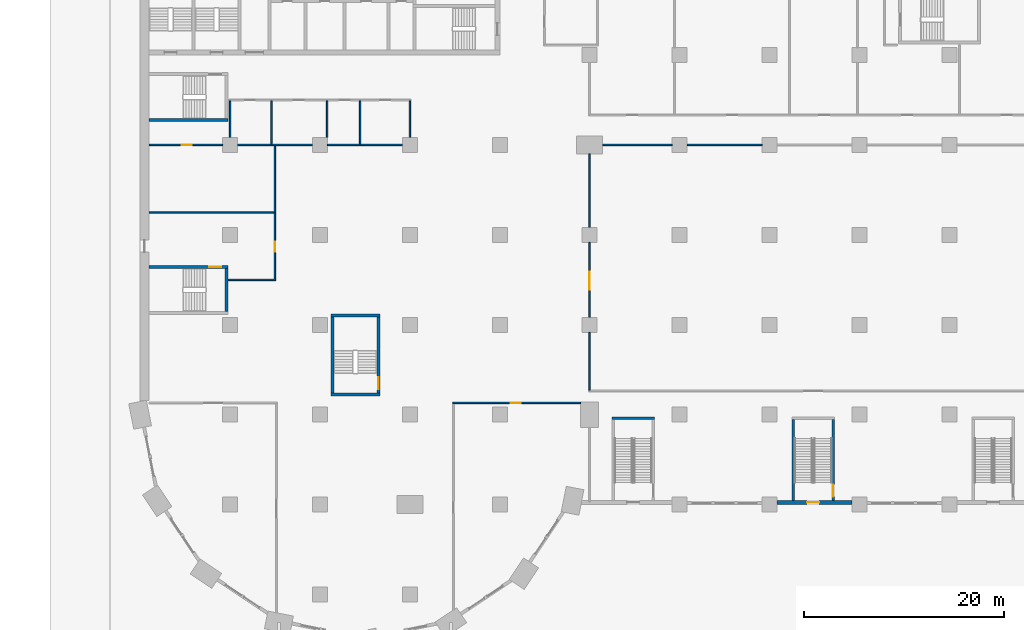
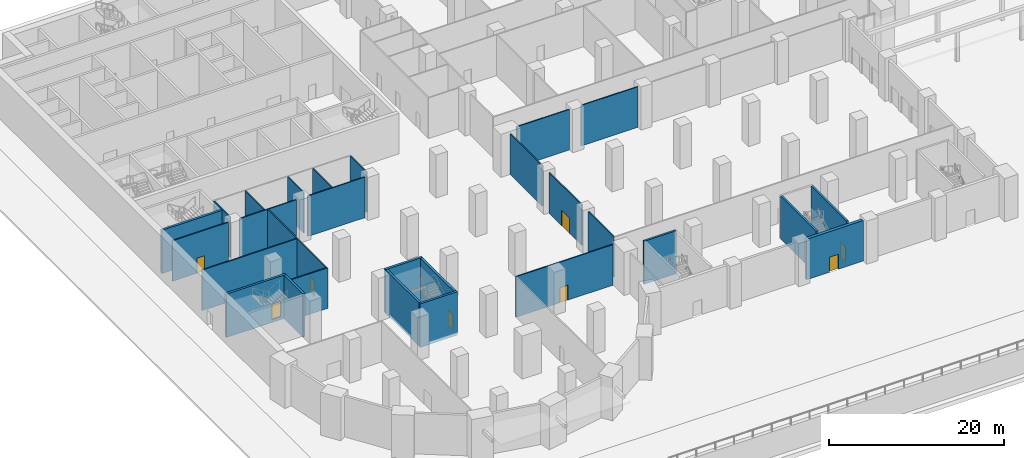
# One storey, part 14 of 47: 28 walls, 8 doors, 8 openings.
"""IFC4 building model written with IfcOpenShell, lengths in metres."""

from ifc_helpers import new_model, si_unit, direction, frame, frame_2d, origin, place, context, subcontext, project, spatial, rectangle, extrude, material, layer, layer_set, type_object, element, fill, save


model = new_model("IFC4")

# Units and contexts
model_context = context("Model", 3, precision=1e-05, world=origin(), true_north=direction((0.0, 1.0)))
body_context = subcontext(model_context, "Body", "Model", "MODEL_VIEW")
ifc_project = project(units=[si_unit("LENGTHUNIT", "METRE"), si_unit("AREAUNIT", "SQUARE_METRE"), si_unit("VOLUMEUNIT", "CUBIC_METRE"), si_unit("PLANEANGLEUNIT", "RADIAN"), si_unit("MASSUNIT", "GRAM", prefix="KILO")], contexts=[model_context])

# Site, building, storey
site_placement = place(None, origin())
site = spatial("IfcSite", under=ifc_project, at=site_placement, CompositionType="ELEMENT")
building_placement = place(site_placement, origin())
building = spatial("IfcBuilding", under=site, at=building_placement, Name="Hunhe Ridgeline Campus", CompositionType="ELEMENT")
storey_placement = place(building_placement, origin())
storey = spatial("IfcBuildingStorey", under=building, at=storey_placement, Name="L00", CompositionType="ELEMENT", Elevation=0.0)

# Wall, opening, door
ifc_material_1 = material(Name="Plastered blockwork", Category="masonry")
ifc_layer_1 = layer(ifc_material_1, 0.14990234375)
ifc_layer_set_1 = layer_set([ifc_layer_1], Name="Blockwork partition 150")
wall_type_1 = type_object("IfcWallType", Name="Blockwork partition 150", PredefinedType="PARTITIONING", material=ifc_layer_set_1)
wall_1_placement = place(storey_placement, frame((31.2890625, 28.199951171875, 0.0), z_axis=(0.0, 0.0, 1.0), x_axis=(1.0, 0.0, 0.0)))
wall_1 = element("IfcWall", 1, at=wall_1_placement, inside=storey, type_object=wall_type_1, Name="L00 partition", PredefinedType="PARTITIONING", context=body_context, shape_type="SweptSolid", body=[
    extrude(rectangle(XDim=12.81103515625, YDim=0.14990234375, at=frame_2d((6.405517578125, 0.0))), origin(), (0.0, 0.0, 1.0), 5.64990234375),
])
opening_1_placement = place(wall_1_placement, frame((5.824951171875, 0.0, 0.0)))
opening_1 = element("IfcOpeningElement", 2, at=opening_1_placement, cuts=wall_1, Name="Opening PD144", PredefinedType="OPENING", context=body_context, shape_type="SweptSolid", body=[
    extrude(rectangle(XDim=1.0, YDim=2.10009765625, at=frame_2d((0.5, 1.050048828125))), frame((0.0, 0.074951171875, 0.0), z_axis=(0.0, -1.0, 0.0), x_axis=(1.0, 0.0, 0.0)), (0.0, 0.0, 1.0), 0.14990234375),
])
ifc_material_2 = material(Name="Timber", Category="wood")
door_type_1 = type_object("IfcDoorType", Name="Podium timber door 1000x2100", OperationType="NOTDEFINED", PredefinedType="DOOR", material=ifc_material_2)
door_1_placement = place(opening_1_placement, origin())
door_1 = element("IfcDoor", 3, at=door_1_placement, inside=storey, type_object=door_type_1, Name="Bookshop door", OperationType="SINGLE_SWING_LEFT", OverallHeight=2.10009765625, OverallWidth=1.0, PredefinedType="DOOR", context=body_context, shape_type="SweptSolid", body=[
    extrude(rectangle(XDim=1.0, YDim=2.10009765625, at=frame_2d((0.5, 1.050048828125))), frame((0.0, 0.02490234375, 0.0), z_axis=(0.0, -1.0, 0.0), x_axis=(1.0, 0.0, 0.0)), (0.0, 0.0, 1.0), 0.050048828125),
])
fill(opening_1, door_1)

# Wall
wall_2_placement = place(storey_placement, frame((45.0, 29.47509765625, 0.0), z_axis=(0.0, 0.0, 1.0), x_axis=(0.0, 1.0, 0.0)))
element("IfcWall", 4, at=wall_2_placement, inside=storey, type_object=wall_type_1, Name="L00 partition", PredefinedType="PARTITIONING", context=body_context, shape_type="SweptSolid", body=[
    extrude(rectangle(XDim=5.77490234375, YDim=0.14990234375, at=frame_2d((2.887451171875, 0.0))), origin(), (0.0, 0.0, 1.0), 5.64990234375),
])

# Wall, opening, door
wall_3_placement = place(storey_placement, frame((45.0, 36.75, 0.0), z_axis=(0.0, 0.0, 1.0), x_axis=(0.0, 1.0, 0.0)))
wall_3 = element("IfcWall", 5, at=wall_3_placement, inside=storey, type_object=wall_type_1, Name="L00 partition", PredefinedType="PARTITIONING", context=body_context, shape_type="SweptSolid", body=[
    extrude(rectangle(XDim=7.5, YDim=0.14990234375, at=frame_2d((3.75, 0.0))), origin(), (0.0, 0.0, 1.0), 5.64990234375),
])
opening_2_placement = place(wall_3_placement, frame((2.75, 0.0, 0.0)))
opening_2 = element("IfcOpeningElement", 6, at=opening_2_placement, cuts=wall_3, Name="Opening PD148", PredefinedType="OPENING", context=body_context, shape_type="SweptSolid", body=[
    extrude(rectangle(XDim=1.800048828125, YDim=2.10009765625, at=frame_2d((0.89990234375, 1.050048828125))), frame((0.0, 0.074951171875, 0.0), z_axis=(0.0, -1.0, 0.0), x_axis=(1.0, 0.0, 0.0)), (0.0, 0.0, 1.0), 0.14990234375),
])
door_type_2 = type_object("IfcDoorType", Name="Podium timber double door 1800x2100", OperationType="NOTDEFINED", PredefinedType="DOOR", material=ifc_material_2)
door_2_placement = place(opening_2_placement, origin())
door_2 = element("IfcDoor", 7, at=door_2_placement, inside=storey, type_object=door_type_2, Name="Exhibition Hall door", OperationType="DOUBLE_DOOR_SINGLE_SWING", OverallHeight=2.10009765625, OverallWidth=1.800048828125, PredefinedType="DOOR", context=body_context, shape_type="SweptSolid", body=[
    extrude(rectangle(XDim=1.800048828125, YDim=2.10009765625, at=frame_2d((0.89990234375, 1.050048828125))), frame((0.0, 0.02490234375, 0.0), z_axis=(0.0, -1.0, 0.0), x_axis=(1.0, 0.0, 0.0)), (0.0, 0.0, 1.0), 0.050048828125),
])
fill(opening_2, door_2)

# Walls
wall_4_placement = place(storey_placement, frame((45.0, 45.75, 0.0), z_axis=(0.0, 0.0, 1.0), x_axis=(0.0, 1.0, 0.0)))
element("IfcWall", 8, at=wall_4_placement, inside=storey, type_object=wall_type_1, Name="L00 partition", PredefinedType="PARTITIONING", context=body_context, shape_type="SweptSolid", body=[
    extrude(rectangle(XDim=7.35009765625, YDim=0.14990234375, at=frame_2d((3.675048828125, 0.0))), origin(), (0.0, 0.0, 1.0), 5.64990234375),
])
wall_5_placement = place(storey_placement, frame((0.89990234375, 47.25, 0.0), z_axis=(0.0, 0.0, 1.0), x_axis=(1.0, 0.0, 0.0)))
element("IfcWall", 9, at=wall_5_placement, inside=storey, type_object=wall_type_1, Name="L00 partition", PredefinedType="PARTITIONING", context=body_context, shape_type="SweptSolid", body=[
    extrude(rectangle(XDim=12.525146484375, YDim=0.14990234375, at=frame_2d((6.2626953125, 0.0))), origin(), (0.0, 0.0, 1.0), 5.64990234375),
])

# Wall, opening, door
wall_6_placement = place(storey_placement, frame((13.5, 53.925048828125, 0.0), z_axis=(0.0, 0.0, 1.0), x_axis=(0.0, -1.0, 0.0)))
wall_6 = element("IfcWall", 10, at=wall_6_placement, inside=storey, type_object=wall_type_1, Name="L00 partition", PredefinedType="PARTITIONING", context=body_context, shape_type="SweptSolid", body=[
    extrude(rectangle(XDim=13.35009765625, YDim=0.14990234375, at=frame_2d((6.675048828125, 0.0))), origin(), (0.0, 0.0, 1.0), 5.64990234375),
])
opening_3_placement = place(wall_6_placement, frame((9.60009765625, 0.0, 0.0)))
opening_3 = element("IfcOpeningElement", 11, at=opening_3_placement, cuts=wall_6, Name="Opening PD145", PredefinedType="OPENING", context=body_context, shape_type="SweptSolid", body=[
    extrude(rectangle(XDim=1.0, YDim=2.10009765625, at=frame_2d((0.5, 1.050048828125))), frame((0.0, 0.074951171875, 0.0), z_axis=(0.0, -1.0, 0.0), x_axis=(1.0, 0.0, 0.0)), (0.0, 0.0, 1.0), 0.14990234375),
])
door_3_placement = place(opening_3_placement, origin())
door_3 = element("IfcDoor", 12, at=door_3_placement, inside=storey, type_object=door_type_1, Name="FIRE COMMAND CENTRE door", OperationType="SINGLE_SWING_RIGHT", OverallHeight=2.10009765625, OverallWidth=1.0, PredefinedType="DOOR", context=body_context, shape_type="SweptSolid", body=[
    extrude(rectangle(XDim=1.0, YDim=2.10009765625, at=frame_2d((0.5, 1.050048828125))), frame((0.0, 0.02490234375, 0.0), z_axis=(0.0, -1.0, 0.0), x_axis=(1.0, 0.0, 0.0)), (0.0, 0.0, 1.0), 0.050048828125),
])
fill(opening_3, door_3)

# Wall
wall_7_placement = place(storey_placement, frame((13.574951171875, 40.5, 0.0), z_axis=(0.0, 0.0, 1.0), x_axis=(-1.0, 0.0, 0.0)))
element("IfcWall", 13, at=wall_7_placement, inside=storey, type_object=wall_type_1, Name="L00 partition", PredefinedType="PARTITIONING", context=body_context, shape_type="SweptSolid", body=[
    extrude(rectangle(XDim=4.77490234375, YDim=0.14990234375, at=frame_2d((2.387451171875, 0.0))), origin(), (0.0, 0.0, 1.0), 5.64990234375),
])

# Wall, opening, door
wall_8_placement = place(storey_placement, frame((0.89990234375, 54.0, 0.0), z_axis=(0.0, 0.0, 1.0), x_axis=(1.0, 0.0, 0.0)))
wall_8 = element("IfcWall", 14, at=wall_8_placement, inside=storey, type_object=wall_type_1, Name="L00 partition", PredefinedType="PARTITIONING", context=body_context, shape_type="SweptSolid", body=[
    extrude(rectangle(XDim=7.35009765625, YDim=0.14990234375, at=frame_2d((3.675048828125, 0.0))), origin(), (0.0, 0.0, 1.0), 5.64990234375),
])
opening_4_placement = place(wall_8_placement, frame((3.25, 0.0, 0.0)))
opening_4 = element("IfcOpeningElement", 15, at=opening_4_placement, cuts=wall_8, Name="Opening PD146", PredefinedType="OPENING", context=body_context, shape_type="SweptSolid", body=[
    extrude(rectangle(XDim=1.0, YDim=2.10009765625, at=frame_2d((0.5, 1.050048828125))), frame((0.0, 0.074951171875, 0.0), z_axis=(0.0, -1.0, 0.0), x_axis=(1.0, 0.0, 0.0)), (0.0, 0.0, 1.0), 0.14990234375),
])
door_4_placement = place(opening_4_placement, origin())
door_4 = element("IfcDoor", 16, at=door_4_placement, inside=storey, type_object=door_type_1, Name="Security Control Room door", OperationType="SINGLE_SWING_RIGHT", OverallHeight=2.10009765625, OverallWidth=1.0, PredefinedType="DOOR", context=body_context, shape_type="SweptSolid", body=[
    extrude(rectangle(XDim=1.0, YDim=2.10009765625, at=frame_2d((0.5, 1.050048828125))), frame((0.0, 0.02490234375, 0.0), z_axis=(0.0, -1.0, 0.0), x_axis=(1.0, 0.0, 0.0)), (0.0, 0.0, 1.0), 0.050048828125),
])
fill(opening_4, door_4)

# Walls
for number, where, z_axis, x_axis, name in (
    (17, (9.75, 54.0, 0.0), (0.0, 0.0, 1.0), (1.0, 0.0, 0.0), "L00 partition"),
    (18, (26.25, 54.0, 0.0), (0.0, 0.0, 1.0), (-1.0, 0.0, 0.0), "L00 partition"),
):
    element("IfcWall", number, at=place(storey_placement, frame(where, z_axis=z_axis, x_axis=x_axis)), inside=storey, type_object=wall_type_1, Name=name, PredefinedType="PARTITIONING", context=body_context, shape_type="SweptSolid", body=[
        extrude(rectangle(XDim=7.5, YDim=0.14990234375, at=frame_2d((3.75, 0.0))), origin(), (0.0, 0.0, 1.0), 5.64990234375),
    ])
wall_9_placement = place(storey_placement, frame((46.300048828125, 54.0, 0.0), z_axis=(0.0, 0.0, 1.0), x_axis=(1.0, 0.0, 0.0)))
element("IfcWall", 19, at=wall_9_placement, inside=storey, type_object=wall_type_1, Name="L00 partition", PredefinedType="PARTITIONING", context=body_context, shape_type="SweptSolid", body=[
    extrude(rectangle(XDim=6.949951171875, YDim=0.14990234375, at=frame_2d((3.47509765625, 0.0))), origin(), (0.0, 0.0, 1.0), 5.64990234375),
])
wall_10_placement = place(storey_placement, frame((54.75, 54.0, 0.0), z_axis=(0.0, 0.0, 1.0), x_axis=(1.0, 0.0, 0.0)))
element("IfcWall", 20, at=wall_10_placement, inside=storey, type_object=wall_type_1, Name="L00 partition", PredefinedType="PARTITIONING", context=body_context, shape_type="SweptSolid", body=[
    extrude(rectangle(XDim=7.5, YDim=0.14990234375, at=frame_2d((3.75, 0.0))), origin(), (0.0, 0.0, 1.0), 5.64990234375),
])
wall_11_placement = place(storey_placement, frame((13.137939453125, 54.074951171875, 0.0), z_axis=(0.0, 0.0, 1.0), x_axis=(0.0, 1.0, 0.0)))
element("IfcWall", 21, at=wall_11_placement, inside=storey, type_object=wall_type_1, Name="L00 partition", PredefinedType="PARTITIONING", context=body_context, shape_type="SweptSolid", body=[
    extrude(rectangle(XDim=4.35009765625, YDim=0.14990234375, at=frame_2d((2.175048828125, 0.0))), origin(), (0.0, 0.0, 1.0), 5.64990234375),
])
for number, where, z_axis, x_axis, name in (
    (22, (9.0, 54.75, 0.0), (0.0, 0.0, 1.0), (0.0, 1.0, 0.0), "L00 partition"),
    (23, (18.72412109375, 54.75, 0.0), (0.0, 0.0, 1.0), (0.0, 1.0, 0.0), "L00 partition"),
):
    element("IfcWall", number, at=place(storey_placement, frame(where, z_axis=z_axis, x_axis=x_axis)), inside=storey, type_object=wall_type_1, Name=name, PredefinedType="PARTITIONING", context=body_context, shape_type="SweptSolid", body=[
        extrude(rectangle(XDim=3.675048828125, YDim=0.14990234375, at=frame_2d((1.83740234375, 0.0))), origin(), (0.0, 0.0, 1.0), 5.64990234375),
    ])
wall_12_placement = place(storey_placement, frame((22.033935546875, 54.074951171875, 0.0), z_axis=(0.0, 0.0, 1.0), x_axis=(0.0, 1.0, 0.0)))
element("IfcWall", 24, at=wall_12_placement, inside=storey, type_object=wall_type_1, Name="L00 partition", PredefinedType="PARTITIONING", context=body_context, shape_type="SweptSolid", body=[
    extrude(rectangle(XDim=4.35009765625, YDim=0.14990234375, at=frame_2d((2.175048828125, 0.0))), origin(), (0.0, 0.0, 1.0), 5.64990234375),
])
wall_13_placement = place(storey_placement, frame((27.0, 58.425048828125, 0.0), z_axis=(0.0, 0.0, 1.0), x_axis=(0.0, -1.0, 0.0)))
element("IfcWall", 25, at=wall_13_placement, inside=storey, type_object=wall_type_1, Name="L00 partition", PredefinedType="PARTITIONING", context=body_context, shape_type="SweptSolid", body=[
    extrude(rectangle(XDim=3.675048828125, YDim=0.14990234375, at=frame_2d((1.83740234375, 0.0))), origin(), (0.0, 0.0, 1.0), 5.64990234375),
])

# Wall, opening, door
ifc_material_3 = material(Name="Concrete C40", Category="concrete")
ifc_layer_2 = layer(ifc_material_3, 0.39990234375)
ifc_layer_set_2 = layer_set([ifc_layer_2], Name="Stair shaft facade wall 400 C40")
wall_type_2 = type_object("IfcWallType", Name="Stair shaft facade wall 400 C40", PredefinedType="SOLIDWALL", material=ifc_layer_set_2)
wall_14_placement = place(storey_placement, frame((71.25, 18.199951171875, 0.0), z_axis=(0.0, 0.0, 1.0), x_axis=(-1.0, 0.0, 0.0)))
wall_14 = element("IfcWall", 26, at=wall_14_placement, inside=storey, type_object=wall_type_2, Name="L00 stair facade wall", PredefinedType="SOLIDWALL", context=body_context, shape_type="SweptSolid", body=[
    extrude(rectangle(XDim=7.5, YDim=0.39990234375, at=frame_2d((3.75, 0.0))), origin(), (0.0, 0.0, 1.0), 5.64990234375),
])
opening_5_placement = place(wall_14_placement, frame((3.27490234375, 0.0, 0.0)))
opening_5 = element("IfcOpeningElement", 27, at=opening_5_placement, cuts=wall_14, Name="Opening XD22", PredefinedType="OPENING", context=body_context, shape_type="SweptSolid", body=[
    extrude(rectangle(XDim=1.199951171875, YDim=2.10009765625, at=frame_2d((0.60009765625, 1.050048828125))), frame((0.0, 0.199951171875, 0.0), z_axis=(0.0, -1.0, 0.0), x_axis=(1.0, 0.0, 0.0)), (0.0, 0.0, 1.0), 0.39990234375),
])
ifc_material_4 = material(Name="Steel Q235", Category="steel")
door_type_3 = type_object("IfcDoorType", Name="Podium fire door 1200x2100 FD60", OperationType="NOTDEFINED", PredefinedType="DOOR", material=ifc_material_4)
door_5_placement = place(opening_5_placement, origin())
door_5 = element("IfcDoor", 28, at=door_5_placement, inside=storey, type_object=door_type_3, Name="Exit door XD22 PS2", OperationType="SINGLE_SWING_LEFT", OverallHeight=2.10009765625, OverallWidth=1.199951171875, PredefinedType="DOOR", context=body_context, shape_type="SweptSolid", body=[
    extrude(rectangle(XDim=1.199951171875, YDim=2.10009765625, at=frame_2d((0.60009765625, 1.050048828125))), frame((0.0, 0.02490234375, 0.0), z_axis=(0.0, -1.0, 0.0), x_axis=(1.0, 0.0, 0.0)), (0.0, 0.0, 1.0), 0.050048828125),
])
fill(opening_5, door_5)

# Walls
ifc_layer_3 = layer(ifc_material_3, 0.25)
ifc_layer_set_3 = layer_set([ifc_layer_3], Name="Stair shaft wall 250 C40")
wall_type_3 = type_object("IfcWallType", Name="Stair shaft wall 250 C40", PredefinedType="SOLIDWALL", material=ifc_layer_set_3)
wall_15_placement = place(storey_placement, frame((47.25, 26.625, 0.0), z_axis=(0.0, 0.0, 1.0), x_axis=(1.0, 0.0, 0.0)))
element("IfcWall", 29, at=wall_15_placement, inside=storey, type_object=wall_type_3, Name="L00 PS1 shaft wall", PredefinedType="SOLIDWALL", context=body_context, shape_type="SweptSolid", body=[
    extrude(rectangle(XDim=4.25, YDim=0.25, at=frame_2d((2.125, 0.0))), origin(), (0.0, 0.0, 1.0), 6.0),
])
wall_16_placement = place(storey_placement, frame((65.375, 18.39990234375, 0.0), z_axis=(0.0, 0.0, 1.0), x_axis=(0.0, 1.0, 0.0)))
element("IfcWall", 30, at=wall_16_placement, inside=storey, type_object=wall_type_3, Name="L00 PS2 shaft wall", PredefinedType="SOLIDWALL", context=body_context, shape_type="SweptSolid", body=[
    extrude(rectangle(XDim=8.10009765625, YDim=0.25, at=frame_2d((4.050048828125, 0.0))), origin(), (0.0, 0.0, 1.0), 6.0),
])

# Wall, opening, door
wall_17_placement = place(storey_placement, frame((69.375, 26.5, 0.0), z_axis=(0.0, 0.0, 1.0), x_axis=(0.0, -1.0, 0.0)))
wall_17 = element("IfcWall", 31, at=wall_17_placement, inside=storey, type_object=wall_type_3, Name="L00 PS2 shaft wall", PredefinedType="SOLIDWALL", context=body_context, shape_type="SweptSolid", body=[
    extrude(rectangle(XDim=8.10009765625, YDim=0.25, at=frame_2d((4.050048828125, 0.0))), origin(), (0.0, 0.0, 1.0), 6.0),
])
opening_6_placement = place(wall_17_placement, frame((6.5, 0.0, 0.0)))
opening_6 = element("IfcOpeningElement", 32, at=opening_6_placement, cuts=wall_17, Name="Opening PD102", PredefinedType="OPENING", context=body_context, shape_type="SweptSolid", body=[
    extrude(rectangle(XDim=1.199951171875, YDim=2.10009765625, at=frame_2d((0.60009765625, 1.050048828125))), frame((0.0, 0.125, 0.0), z_axis=(0.0, -1.0, 0.0), x_axis=(1.0, 0.0, 0.0)), (0.0, 0.0, 1.0), 0.25),
])
door_6_placement = place(opening_6_placement, origin())
door_6 = element("IfcDoor", 33, at=door_6_placement, inside=storey, type_object=door_type_3, Name="Stair door PS2", OperationType="SINGLE_SWING_LEFT", OverallHeight=2.10009765625, OverallWidth=1.199951171875, PredefinedType="DOOR", context=body_context, shape_type="SweptSolid", body=[
    extrude(rectangle(XDim=1.199951171875, YDim=2.10009765625, at=frame_2d((0.60009765625, 1.050048828125))), frame((0.0, 0.02490234375, 0.0), z_axis=(0.0, -1.0, 0.0), x_axis=(1.0, 0.0, 0.0)), (0.0, 0.0, 1.0), 0.050048828125),
])
fill(opening_6, door_6)

# Walls
ifc_material_5 = material(Name="Concrete C80", Category="concrete")
ifc_layer_4 = layer(ifc_material_5, 0.300048828125)
ifc_layer_set_4 = layer_set([ifc_layer_4], Name="Stair wall 300 reinforced concrete C80")
wall_type_4 = type_object("IfcWallType", Name="Stair wall 300 reinforced concrete C80", PredefinedType="SOLIDWALL", material=ifc_layer_set_4)
for number, where, z_axis, x_axis, name in (
    (34, (19.10009765625, 29.050048828125, -0.39990234375), (0.0, 0.0, 1.0), (1.0, 0.0, 0.0), "L00 core wall 1"),
    (35, (19.10009765625, 36.949951171875, -0.39990234375), (0.0, 0.0, 1.0), (1.0, 0.0, 0.0), "L00 core wall 2"),
):
    element("IfcWall", number, at=place(storey_placement, frame(where, z_axis=z_axis, x_axis=x_axis)), inside=storey, type_object=wall_type_4, Name=name, PredefinedType="SOLIDWALL", context=body_context, shape_type="SweptSolid", body=[
        extrude(rectangle(XDim=4.89990234375, YDim=0.300048828125, at=frame_2d((2.449951171875, 0.0))), origin(), (0.0, 0.0, 1.0), 6.0498046875),
    ])

# Wall, opening, door
wall_18_placement = place(storey_placement, frame((0.89990234375, 41.800048828125, -0.39990234375), z_axis=(0.0, 0.0, 1.0), x_axis=(1.0, 0.0, 0.0)))
wall_18 = element("IfcWall", 36, at=wall_18_placement, inside=storey, type_object=wall_type_4, Name="L00 core wall 4", PredefinedType="SOLIDWALL", context=body_context, shape_type="SweptSolid", body=[
    extrude(rectangle(XDim=7.900146484375, YDim=0.300048828125, at=frame_2d((3.9501953125, 0.0))), origin(), (0.0, 0.0, 1.0), 6.0498046875),
])
opening_7_placement = place(wall_18_placement, frame((6.0, 0.0, 0.39990234375)))
opening_7 = element("IfcOpeningElement", 37, at=opening_7_placement, cuts=wall_18, Name="Opening CD21", PredefinedType="OPENING", context=body_context, shape_type="SweptSolid", body=[
    extrude(rectangle(XDim=1.199951171875, YDim=2.10009765625, at=frame_2d((0.60009765625, 1.050048828125))), frame((0.0, 0.14990234375, 0.0), z_axis=(0.0, -1.0, 0.0), x_axis=(1.0, 0.0, 0.0)), (0.0, 0.0, 1.0), 0.300048828125),
])
ifc_material_6 = material(Name="Hollow metal fire door leaf")
door_type_4 = type_object("IfcDoorType", Name="Stair door 1200x2100 FD60", OperationType="SINGLE_SWING_LEFT", PredefinedType="DOOR", material=ifc_material_6)
door_7_placement = place(opening_7_placement, origin())
door_7 = element("IfcDoor", 38, at=door_7_placement, inside=storey, type_object=door_type_4, Name="L00 door W1", OperationType="SINGLE_SWING_LEFT", OverallHeight=2.10009765625, OverallWidth=1.199951171875, PredefinedType="DOOR", context=body_context, shape_type="SweptSolid", body=[
    extrude(rectangle(XDim=1.199951171875, YDim=2.10009765625, at=frame_2d((0.60009765625, 1.050048828125))), frame((0.0, 0.02490234375, 0.0), z_axis=(0.0, -1.0, 0.0), x_axis=(1.0, 0.0, 0.0)), (0.0, 0.0, 1.0), 0.050048828125),
])
fill(opening_7, door_7)

# Walls
wall_19_placement = place(storey_placement, frame((0.89990234375, 56.5, -0.39990234375), z_axis=(0.0, 0.0, 1.0), x_axis=(1.0, 0.0, 0.0)))
element("IfcWall", 39, at=wall_19_placement, inside=storey, type_object=wall_type_4, Name="L00 core wall 5", PredefinedType="SOLIDWALL", context=body_context, shape_type="SweptSolid", body=[
    extrude(rectangle(XDim=7.900146484375, YDim=0.300048828125, at=frame_2d((3.9501953125, 0.0))), origin(), (0.0, 0.0, 1.0), 6.0498046875),
])
wall_20_placement = place(storey_placement, frame((8.64990234375, 37.35009765625, -0.39990234375), z_axis=(0.0, 0.0, 1.0), x_axis=(0.0, 1.0, 0.0)))
element("IfcWall", 40, at=wall_20_placement, inside=storey, type_object=wall_type_4, Name="L00 core wall 41", PredefinedType="SOLIDWALL", context=body_context, shape_type="SweptSolid", body=[
    extrude(rectangle(XDim=4.2998046875, YDim=0.300048828125, at=frame_2d((2.14990234375, 0.0))), origin(), (0.0, 0.0, 1.0), 6.0498046875),
])
wall_21_placement = place(storey_placement, frame((19.25, 29.199951171875, -0.39990234375), z_axis=(0.0, 0.0, 1.0), x_axis=(0.0, 1.0, 0.0)))
element("IfcWall", 41, at=wall_21_placement, inside=storey, type_object=wall_type_4, Name="L00 core wall 51", PredefinedType="SOLIDWALL", context=body_context, shape_type="SweptSolid", body=[
    extrude(rectangle(XDim=7.60009765625, YDim=0.300048828125, at=frame_2d((3.800048828125, 0.0))), origin(), (0.0, 0.0, 1.0), 6.0498046875),
])

# Wall, opening, door
wall_22_placement = place(storey_placement, frame((23.85009765625, 29.199951171875, -0.39990234375), z_axis=(0.0, 0.0, 1.0), x_axis=(0.0, 1.0, 0.0)))
wall_22 = element("IfcWall", 42, at=wall_22_placement, inside=storey, type_object=wall_type_4, Name="L00 core wall 56", PredefinedType="SOLIDWALL", context=body_context, shape_type="SweptSolid", body=[
    extrude(rectangle(XDim=7.60009765625, YDim=0.300048828125, at=frame_2d((3.800048828125, 0.0))), origin(), (0.0, 0.0, 1.0), 6.0498046875),
])
opening_8_placement = place(wall_22_placement, frame((0.375, 0.0, 0.39990234375)))
opening_8 = element("IfcOpeningElement", 43, at=opening_8_placement, cuts=wall_22, Name="Opening CD23", PredefinedType="OPENING", context=body_context, shape_type="SweptSolid", body=[
    extrude(rectangle(XDim=1.199951171875, YDim=2.10009765625, at=frame_2d((0.60009765625, 1.050048828125))), frame((0.0, 0.14990234375, 0.0), z_axis=(0.0, -1.0, 0.0), x_axis=(1.0, 0.0, 0.0)), (0.0, 0.0, 1.0), 0.300048828125),
])
door_8_placement = place(opening_8_placement, frame((1.199951171875, 0.0, 0.0), z_axis=(0.0, 0.0, 1.0), x_axis=(-1.0, 0.0, 0.0)))
door_8 = element("IfcDoor", 44, at=door_8_placement, inside=storey, type_object=door_type_4, Name="L00 door W3", OperationType="SINGLE_SWING_RIGHT", OverallHeight=2.10009765625, OverallWidth=1.199951171875, PredefinedType="DOOR", context=body_context, shape_type="SweptSolid", body=[
    extrude(rectangle(XDim=1.199951171875, YDim=2.10009765625, at=frame_2d((0.60009765625, 1.050048828125))), frame((0.0, 0.02490234375, 0.0), z_axis=(0.0, -1.0, 0.0), x_axis=(1.0, 0.0, 0.0)), (0.0, 0.0, 1.0), 0.050048828125),
])
fill(opening_8, door_8)

save(model, "model.ifc")
